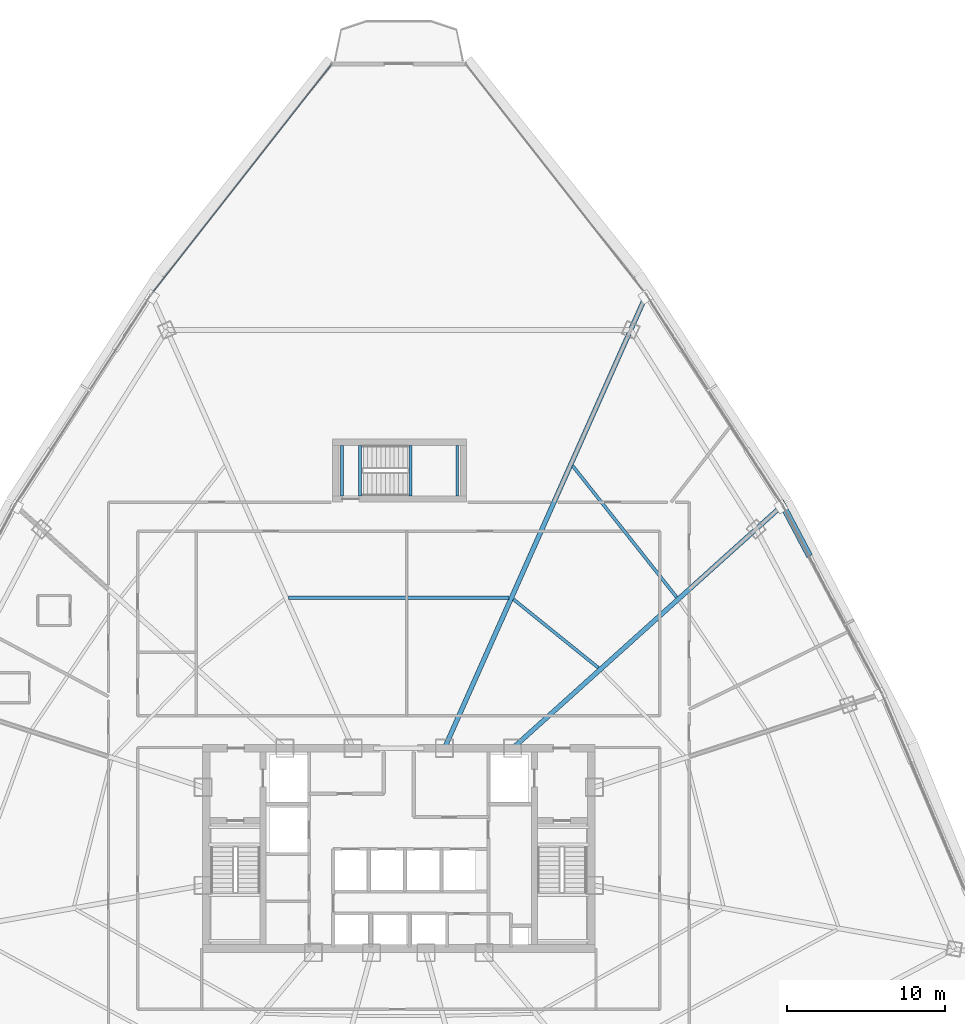
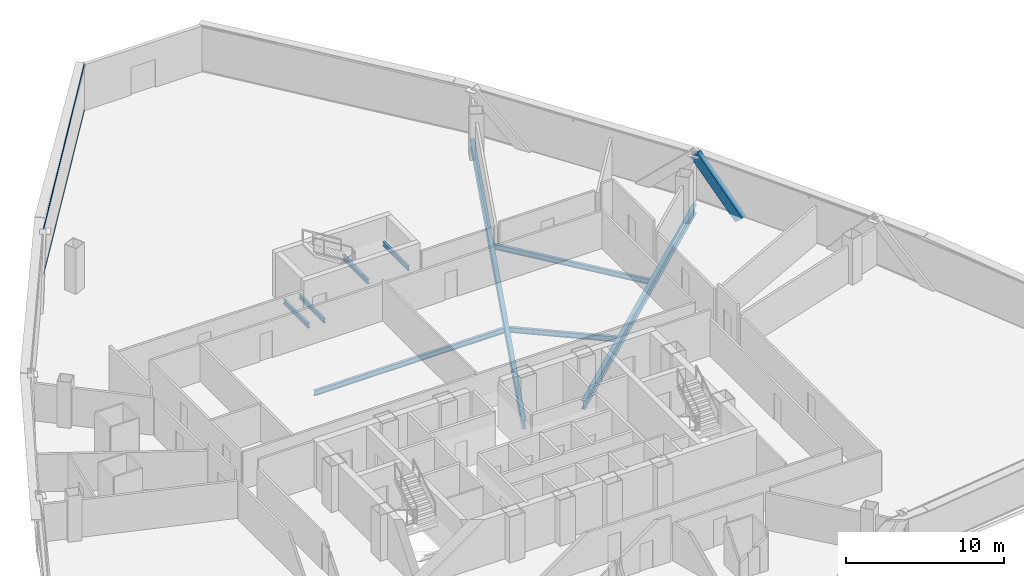
# One storey, part 19 of 40: 9 beams, 3 members, 1 element without a shape of its own.
"""IFC4 building model written with IfcOpenShell, lengths in metres."""

from ifc_helpers import new_model, si_unit, direction, frame, origin, origin_2d, place, context, subcontext, project, spatial, hollow_rectangle, i_section, extrude, source, transform, mapped, material, layer, layer_set, material_profile, profile_set, type_object, element, aggregate, save


model = new_model("IFC4")

# Units and contexts
model_context = context("Model", 3, precision=1e-05, world=origin(), true_north=direction((0.0, 1.0)))
body_context = subcontext(model_context, "Body", "Model", "MODEL_VIEW")
ifc_project = project(units=[si_unit("LENGTHUNIT", "METRE"), si_unit("AREAUNIT", "SQUARE_METRE"), si_unit("VOLUMEUNIT", "CUBIC_METRE"), si_unit("PLANEANGLEUNIT", "RADIAN"), si_unit("MASSUNIT", "GRAM", prefix="KILO"), si_unit("THERMODYNAMICTEMPERATUREUNIT", "KELVIN"), si_unit("POWERUNIT", "WATT")], contexts=[model_context])

# Site, building, storey
site_placement = place(None, origin())
site = spatial("IfcSite", under=ifc_project, at=site_placement, CompositionType="ELEMENT")
building_placement = place(site_placement, origin())
building = spatial("IfcBuilding", under=site, at=building_placement, Name="Yunzhuo Pagoda Commons", CompositionType="ELEMENT")
storey_placement = place(building_placement, frame((0.0, 0.0, 188.56005859375)))
storey = spatial("IfcBuildingStorey", under=building, at=storey_placement, Name="L47", CompositionType="ELEMENT", Elevation=188.56005859375)

# Beams
ifc_material_1 = material(Name="Structural steel Q355B", Category="steel")
ifc_material_profile_1 = material_profile(ifc_material_1, i_section(OverallWidth=0.175048828125, OverallDepth=0.35009765625, WebThickness=0.007080078125, FlangeThickness=0.010986328125, at=origin_2d()), Name="Structural steel Q355B")
ifc_profile_set_1 = profile_set([ifc_material_profile_1], Name="Structural steel Q355B")
beam_type_1 = type_object("IfcBeamType", Name="B-JS2 Joist HN 350x175x7x11", PredefinedType="JOIST", material=ifc_profile_set_1)
shared_shape_1 = source(origin(), body_context, "Body", "SweptSolid", [
    extrude(i_section(OverallWidth=0.175048828125, OverallDepth=0.35009765625, WebThickness=0.007080078125, FlangeThickness=0.010986328125, at=origin_2d()), origin(), (0.0, 0.0, 1.0), 3.199951171875),
])
for number, where, z_axis, x_axis, name in (
    (1, (48.75, 56.199951171875, 1.52490234375), (0.0, 1.0, 0.0), (-1.0, 0.0, 0.0), "L47 ST3 landing support beam 53A"),
    (2, (51.699951171875, 56.199951171875, 1.52490234375), (0.0, 1.0, 0.0), (-1.0, 0.0, 0.0), "L47 ST3 landing support beam 53B"),
    (3, (44.39990234375, 56.199951171875, -0.375), (0.0, 1.0, 0.0), (-1.0, 0.0, 0.0), "L47 ST3 landing support beam 121A"),
    (4, (45.550048828125, 56.199951171875, -0.375), (0.0, 1.0, 0.0), (-1.0, 0.0, 0.0), "L47 ST3 landing support beam 121B"),
):
    element("IfcBeam", number, at=place(storey_placement, frame(where, z_axis=z_axis, x_axis=x_axis)), inside=storey, type_object=beam_type_1, Name=name, PredefinedType="JOIST", context=body_context, shape_type="MappedRepresentation", body=[
        mapped(shared_shape_1, transform((0.0, 0.0, 0.0), scale=1.0)),
    ])
ifc_material_profile_2 = material_profile(ifc_material_1, i_section(OverallWidth=0.300048828125, OverallDepth=0.64990234375, WebThickness=0.012939453125, FlangeThickness=0.02197265625, at=origin_2d()), Name="Structural steel Q355B")
ifc_profile_set_2 = profile_set([ifc_material_profile_2], Name="Structural steel Q355B")
beam_type_2 = type_object("IfcBeamType", Name="B-RG2 Beam HN 650x300x13x22", PredefinedType="BEAM", material=ifc_profile_set_2)
shared_shape_2 = source(origin(), body_context, "Body", "SweptSolid", [
    extrude(i_section(OverallWidth=0.300048828125, OverallDepth=0.64990234375, WebThickness=0.012939453125, FlangeThickness=0.02197265625, at=origin_2d()), origin(), (0.0, 0.0, 1.0), 22.87744140625),
])
beam_1_placement = place(storey_placement, frame((72.22021484375, 55.508056640625, -0.5849609375), z_axis=(-0.743141834846, -0.669133927776, 0.0), x_axis=(0.669133927776, -0.743141834846, 0.0)))
element("IfcBeam", 5, at=beam_1_placement, inside=storey, type_object=beam_type_2, Name="L47 radial floor girder F2C3", PredefinedType="BEAM", context=body_context, shape_type="MappedRepresentation", body=[
    mapped(shared_shape_2, transform((0.0, 0.0, 0.0), scale=1.0)),
])
shared_shape_3 = source(origin(), body_context, "Body", "SweptSolid", [
    extrude(i_section(OverallWidth=0.300048828125, OverallDepth=0.64990234375, WebThickness=0.012939453125, FlangeThickness=0.02197265625, at=origin_2d()), origin(), (0.0, 0.0, 1.0), 31.328125),
])
beam_2_placement = place(storey_placement, frame((63.636474609375, 68.819580078125, -0.5849609375), z_axis=(-0.406740689306, -0.913543656134, 0.0), x_axis=(0.913543656134, -0.406740689306, 0.0)))
element("IfcBeam", 6, at=beam_2_placement, inside=storey, type_object=beam_type_2, Name="L47 radial floor girder F2C4", PredefinedType="BEAM", context=body_context, shape_type="MappedRepresentation", body=[
    mapped(shared_shape_3, transform((0.0, 0.0, 0.0), scale=1.0)),
])
ifc_material_profile_3 = material_profile(ifc_material_1, i_section(OverallWidth=0.199951171875, OverallDepth=0.39990234375, WebThickness=0.008056640625, FlangeThickness=0.012939453125, at=origin_2d()), Name="Structural steel Q355B")
ifc_profile_set_3 = profile_set([ifc_material_profile_3], Name="Structural steel Q355B")
beam_type_3 = type_object("IfcBeamType", Name="B-JS1 Joist HN 400x200x8x13", PredefinedType="JOIST", material=ifc_profile_set_3)
shared_shape_4 = source(origin(), body_context, "Body", "SweptSolid", [
    extrude(i_section(OverallWidth=0.199951171875, OverallDepth=0.39990234375, WebThickness=0.008056640625, FlangeThickness=0.012939453125, at=origin_2d()), origin(), (0.0, 0.0, 1.0), 6.916748046875),
])
beam_3_placement = place(storey_placement, frame((60.650634765625, 45.302001953125, -0.4599609375), z_axis=(-0.778265575865, 0.627935262127, 0.0), x_axis=(-0.627935262127, -0.778265575865, 0.0)))
element("IfcBeam", 7, at=beam_3_placement, inside=storey, type_object=beam_type_3, Name="L47 composite ring joist 1.7", PredefinedType="JOIST", context=body_context, shape_type="MappedRepresentation", body=[
    mapped(shared_shape_4, transform((0.0, 0.0, 0.0), scale=1.0)),
])
shared_shape_5 = source(origin(), body_context, "Body", "SweptSolid", [
    extrude(i_section(OverallWidth=0.199951171875, OverallDepth=0.39990234375, WebThickness=0.008056640625, FlangeThickness=0.012939453125, at=origin_2d()), origin(), (0.0, 0.0, 1.0), 10.62548828125),
])
beam_4_placement = place(storey_placement, frame((65.614013671875, 49.773193359375, -0.4599609375), z_axis=(-0.620561688531, 0.784157631301, 0.0), x_axis=(-0.784157631301, -0.620561688531, 0.0)))
element("IfcBeam", 8, at=beam_4_placement, inside=storey, type_object=beam_type_3, Name="L47 composite ring joist 2.7", PredefinedType="JOIST", context=body_context, shape_type="MappedRepresentation", body=[
    mapped(shared_shape_5, transform((0.0, 0.0, 0.0), scale=1.0)),
])
shared_shape_6 = source(origin(), body_context, "Body", "SweptSolid", [
    extrude(i_section(OverallWidth=0.199951171875, OverallDepth=0.39990234375, WebThickness=0.008056640625, FlangeThickness=0.012939453125, at=origin_2d()), origin(), (0.0, 0.0, 1.0), 13.9697265625),
])
beam_5_placement = place(storey_placement, frame((54.98486328125, 49.7451171875, -0.4599609375), z_axis=(-1.0, 0.0, 0.0), x_axis=(0.0, -1.0, 0.0)))
element("IfcBeam", 9, at=beam_5_placement, inside=storey, type_object=beam_type_3, Name="L47 composite ring joist 1.8", PredefinedType="JOIST", context=body_context, shape_type="MappedRepresentation", body=[
    mapped(shared_shape_6, transform((0.0, 0.0, 0.0), scale=1.0)),
])

# Member
ifc_material_profile_4 = material_profile(ifc_material_1, hollow_rectangle(XDim=0.39990234375, YDim=0.719970703125, WallThickness=0.02392578125, at=origin_2d()), Name="Structural steel Q355B")
ifc_profile_set_4 = profile_set([ifc_material_profile_4], Name="Structural steel Q355B")
member_type_1 = type_object("IfcMemberType", Name="M-DL2 Brace BOX 720x400x24", PredefinedType="BRACE", material=ifc_profile_set_4)
shared_shape_7 = source(origin(), body_context, "Body", "SweptSolid", [
    extrude(hollow_rectangle(XDim=0.39990234375, YDim=0.719970703125, WallThickness=0.02392578125, at=origin_2d()), origin(), (0.0, 0.0, 1.0), 5.08544921875),
])
member_1_placement = place(storey_placement, frame((73.912841796875, 52.623046875, -0.260009765625), z_axis=(-0.310180698867, 0.587715851344, 0.74724695525), x_axis=(-0.884386409568, -0.466755480495, 0.0)))
element("IfcMember", 10, at=member_1_placement, inside=storey, type_object=member_type_1, Name="L47 facade diamond brace F2.2R", PredefinedType="BRACE", context=body_context, shape_type="MappedRepresentation", body=[
    mapped(shared_shape_7, transform((0.0, 0.0, 0.0), scale=1.0)),
])

# Curtain wall, members
ifc_material_2 = material(Name="Anodized aluminium 6063-T6", Category="aluminium")
ifc_layer = layer(ifc_material_2, 0.14990234375)
ifc_layer_set = layer_set([ifc_layer], Name="Anodized aluminium 6063-T6")
curtain_wall_type = type_object("IfcCurtainWallType", Name="CW-MID Mid-Zone Ribbon Curtain Wall", PredefinedType="NOTDEFINED", material=ifc_layer_set)
curtain_wall_placement = place(storey_placement, origin())
curtain_wall = element("IfcCurtainWall", 11, at=curtain_wall_placement, inside=storey, type_object=curtain_wall_type, Name="L47 curtain wall CW-L47-F3B1", PredefinedType="NOTDEFINED")
ifc_material_profile_5 = material_profile(ifc_material_2, hollow_rectangle(XDim=0.054931640625, YDim=0.1298828125, WallThickness=0.00341796875, at=origin_2d()), Name="Anodized aluminium 6063-T6")
ifc_profile_set_5 = profile_set([ifc_material_profile_5], Name="Anodized aluminium 6063-T6")
member_type_2 = type_object("IfcMemberType", Name="CW-MID-T Transom RHS 130x55x3.5", PredefinedType="USERDEFINED", material=ifc_profile_set_5)
shared_shape_8 = source(origin(), body_context, "Body", "SweptSolid", [
    extrude(hollow_rectangle(XDim=0.054931640625, YDim=0.1298828125, WallThickness=0.00341796875, at=origin_2d()), origin(), (0.0, 0.0, 1.0), 18.384765625),
])
member_2_placement = place(storey_placement, frame((43.727783203125, 83.535400390625, 0.02734375), z_axis=(-0.617021275129, -0.786946469614, 0.0), x_axis=(0.786946469614, -0.617021275129, 0.0)))
member_2 = element("IfcMember", 12, at=member_2_placement, type_object=member_type_2, Name="CW transom 1.1", ObjectType="TRANSOM", PredefinedType="USERDEFINED", context=body_context, shape_type="MappedRepresentation", body=[
    mapped(shared_shape_8, transform((0.0, 0.0, 0.0), scale=1.0)),
])
member_3_placement = place(storey_placement, frame((43.727783203125, 83.535400390625, 3.512451171875), z_axis=(-0.617021275129, -0.786946469614, 0.0), x_axis=(0.786946469614, -0.617021275129, 0.0)))
member_3 = element("IfcMember", 13, at=member_3_placement, type_object=member_type_2, Name="CW transom 1.2", ObjectType="TRANSOM", PredefinedType="USERDEFINED", context=body_context, shape_type="MappedRepresentation", body=[
    mapped(shared_shape_8, transform((0.0, 0.0, 0.0), scale=1.0)),
])
aggregate(curtain_wall, [member_2, member_3])

save(model, "model.ifc")
